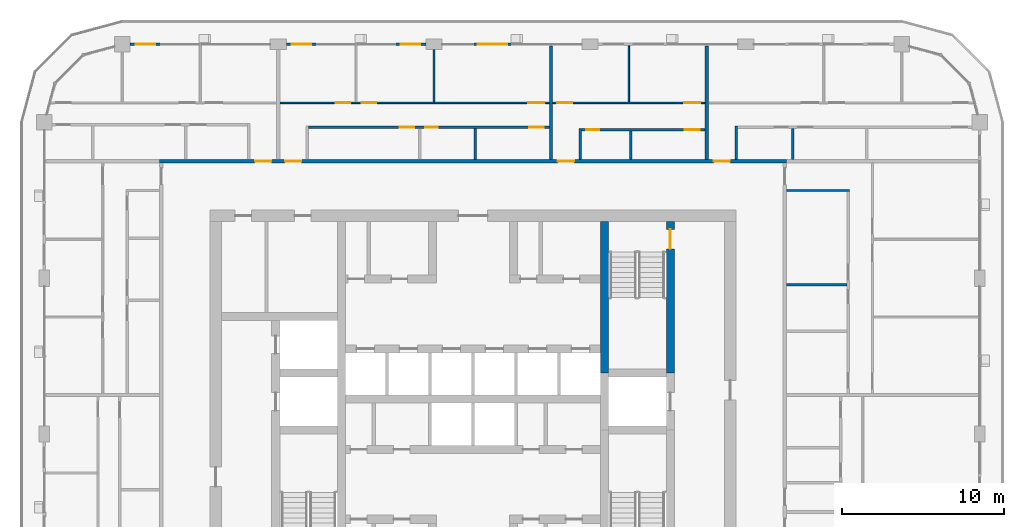
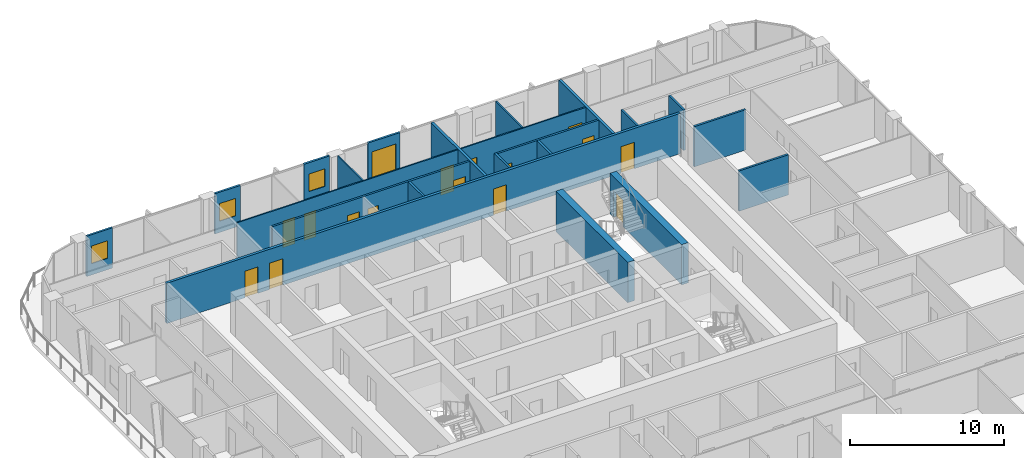
# One storey, part 14 of 22: 22 walls, 16 doors, 3 windows, 19 openings.
"""IFC4 building model written with IfcOpenShell, lengths in metres."""

from ifc_helpers import new_model, si_unit, direction, frame, frame_2d, origin, place, context, subcontext, project, spatial, rectangle, extrude, material, layer, layer_set, type_object, element, fill, save


model = new_model("IFC4")

# Units and contexts
model_context = context("Model", 3, precision=1e-05, world=origin(), true_north=direction((0.0, 1.0)))
body_context = subcontext(model_context, "Body", "Model", "MODEL_VIEW")
ifc_project = project(units=[si_unit("LENGTHUNIT", "METRE"), si_unit("AREAUNIT", "SQUARE_METRE"), si_unit("VOLUMEUNIT", "CUBIC_METRE"), si_unit("PLANEANGLEUNIT", "RADIAN"), si_unit("MASSUNIT", "GRAM", prefix="KILO")], contexts=[model_context])

# Site, building, storey
site_placement = place(None, origin())
site = spatial("IfcSite", under=ifc_project, at=site_placement, CompositionType="ELEMENT")
building_placement = place(site_placement, origin())
building = spatial("IfcBuilding", under=site, at=building_placement, Name="Madar Terraces", CompositionType="ELEMENT")
storey_placement = place(building_placement, frame((0.0, 0.0, 189.39990234375)))
storey = spatial("IfcBuildingStorey", under=building, at=storey_placement, Name="L49", CompositionType="ELEMENT", Elevation=189.39990234375)

# Wall
ifc_material_1 = material(Name="Concrete C60/75", Category="concrete")
ifc_layer_1 = layer(ifc_material_1, 0.5)
ifc_layer_set_1 = layer_set([ifc_layer_1], Name="Concrete C60/75 (CIW4 RC wall 500)")
wall_type_1 = type_object("IfcWallType", Name="CIW4 RC wall 500", PredefinedType="SHEAR", material=ifc_layer_set_1)
wall_1_placement = place(storey_placement, frame((39.300048828125, 27.75, 0.0), z_axis=(0.0, 0.0, 1.0), x_axis=(0.0, 1.0, 0.0)))
element("IfcWall", 1, at=wall_1_placement, inside=storey, type_object=wall_type_1, Name="CORE SHAFT WALL", PredefinedType="SHEAR", context=body_context, shape_type="SweptSolid", body=[
    extrude(rectangle(XDim=9.35009765625, YDim=0.5, at=frame_2d((4.675048828125, 0.0))), origin(), (0.0, 0.0, 1.0), 3.2001953125),
])

# Wall, opening, door
wall_2_placement = place(storey_placement, frame((43.35009765625, 27.75, 0.0), z_axis=(0.0, 0.0, 1.0), x_axis=(0.0, 1.0, 0.0)))
wall_2 = element("IfcWall", 2, at=wall_2_placement, inside=storey, type_object=wall_type_1, Name="CORE SHAFT WALL", PredefinedType="SHEAR", context=body_context, shape_type="SweptSolid", body=[
    extrude(rectangle(XDim=9.35009765625, YDim=0.5, at=frame_2d((4.675048828125, 0.0))), origin(), (0.0, 0.0, 1.0), 3.2001953125),
])
opening_1_placement = place(wall_2_placement, frame((7.64990234375, 0.0, 0.0)))
opening_1 = element("IfcOpeningElement", 3, at=opening_1_placement, cuts=wall_2, Name="Opening SD1", PredefinedType="OPENING", context=body_context, shape_type="SweptSolid", body=[
    extrude(rectangle(XDim=1.199951171875, YDim=2.10009765625, at=frame_2d((0.60009765625, 1.050048828125))), frame((0.0, 0.260009765625, 0.0), z_axis=(0.0, -1.0, 0.0), x_axis=(1.0, 0.0, 0.0)), (0.0, 0.0, 1.0), 0.52001953125),
])
ifc_material_2 = material(Name="Steel door leaf", Category="steel")
door_type_1 = type_object("IfcDoorType", Name="Stair door 1200 x 2100", OperationType="NOTDEFINED", PredefinedType="DOOR", material=ifc_material_2)
door_1_placement = place(opening_1_placement, origin())
door_1 = element("IfcDoor", 4, at=door_1_placement, inside=storey, type_object=door_type_1, Name="STAIR DOOR", OperationType="SINGLE_SWING_LEFT", OverallHeight=2.10009765625, OverallWidth=1.199951171875, PredefinedType="DOOR", context=body_context, shape_type="SweptSolid", body=[
    extrude(rectangle(XDim=1.199951171875, YDim=2.10009765625, at=frame_2d((0.60009765625, 1.050048828125))), frame((0.0, 0.02490234375, 0.0), z_axis=(0.0, -1.0, 0.0), x_axis=(1.0, 0.0, 0.0)), (0.0, 0.0, 1.0), 0.050048828125),
])
fill(opening_1, door_1)

ifc_material_3 = material(Name="Aluminium composite panel, black, over insulated backing", Category="aluminium")
ifc_layer_2 = layer(ifc_material_3, 0.14990234375)
ifc_layer_set_2 = layer_set([ifc_layer_2], Name="Facade bay panel 150")
wall_type_2 = type_object("IfcWallType", Name="Facade bay panel 150", PredefinedType="SOLIDWALL", material=ifc_layer_set_2)
wall_3_placement = place(storey_placement, frame((33.60009765625, 48.0, 0.0), z_axis=(0.0, 0.0, 1.0), x_axis=(-1.0, 0.0, 0.0)))
wall_3 = element("IfcWall", 5, at=wall_3_placement, inside=storey, type_object=wall_type_2, Name="Facade bay panel", PredefinedType="SOLIDWALL", context=body_context, shape_type="SweptSolid", body=[
    extrude(rectangle(XDim=2.400146484375, YDim=0.14990234375, at=frame_2d((1.2001953125, 0.0))), origin(), (0.0, 0.0, 1.0), 3.2001953125),
])
opening_2_placement = place(wall_3_placement, frame((0.300048828125, 0.0, 0.0)))
opening_2 = element("IfcOpeningElement", 6, at=opening_2_placement, cuts=wall_3, Name="Opening ED1", PredefinedType="OPENING", context=body_context, shape_type="SweptSolid", body=[
    extrude(rectangle(XDim=1.800048828125, YDim=2.39990234375, at=frame_2d((0.89990234375, 1.199951171875))), frame((0.0, 0.0849609375, 0.0), z_axis=(0.0, -1.0, 0.0), x_axis=(1.0, 0.0, 0.0)), (0.0, 0.0, 1.0), 0.169921875),
])
ifc_material_4 = material(Name="Glass, clear, with black aluminium frame", Category="aluminium")
door_type_2 = type_object("IfcDoorType", Name="Balcony and terrace sliding door 1800 x 2400", OperationType="SLIDING_TO_LEFT", PredefinedType="DOOR", material=ifc_material_4)
door_2_placement = place(opening_2_placement, origin())
door_2 = element("IfcDoor", 7, at=door_2_placement, inside=storey, type_object=door_type_2, Name="Balcony door", OperationType="SLIDING_TO_LEFT", OverallHeight=2.39990234375, OverallWidth=1.800048828125, PredefinedType="DOOR", context=body_context, shape_type="SweptSolid", body=[
    extrude(rectangle(XDim=1.800048828125, YDim=2.39990234375, at=frame_2d((0.89990234375, 1.199951171875))), frame((0.0, 0.02490234375, 0.0), z_axis=(0.0, -1.0, 0.0), x_axis=(1.0, 0.0, 0.0)), (0.0, 0.0, 1.0), 0.050048828125),
])
fill(opening_2, door_2)

# Wall, opening, window
wall_4_placement = place(storey_placement, frame((28.300048828125, 48.0, 0.0), z_axis=(0.0, 0.0, 1.0), x_axis=(-1.0, 0.0, 0.0)))
wall_4 = element("IfcWall", 8, at=wall_4_placement, inside=storey, type_object=wall_type_2, Name="Facade bay panel", PredefinedType="SOLIDWALL", context=body_context, shape_type="SweptSolid", body=[
    extrude(rectangle(XDim=1.900146484375, YDim=0.14990234375, at=frame_2d((0.9501953125, 0.0))), origin(), (0.0, 0.0, 1.0), 3.2001953125),
])
opening_3_placement = place(wall_4_placement, frame((0.35009765625, 0.0, 0.89990234375)))
opening_3 = element("IfcOpeningElement", 9, at=opening_3_placement, cuts=wall_4, Name="Opening W1", PredefinedType="OPENING", context=body_context, shape_type="SweptSolid", body=[
    extrude(rectangle(XDim=1.199951171875, YDim=1.39990234375, at=frame_2d((0.60009765625, 0.699951171875))), frame((0.0, 0.0849609375, 0.0), z_axis=(0.0, -1.0, 0.0), x_axis=(1.0, 0.0, 0.0)), (0.0, 0.0, 1.0), 0.169921875),
])
ifc_material_5 = material(Name="Glass, clear, with black aluminium frame", Category="aluminium")
window_type = type_object("IfcWindowType", Name="Vent window 1200 x 1400", PartitioningType="SINGLE_PANEL", PredefinedType="WINDOW", material=ifc_material_5)
window_1_placement = place(opening_3_placement, origin())
window_1 = element("IfcWindow", 10, at=window_1_placement, inside=storey, type_object=window_type, Name="Operable vent window", OverallHeight=1.39990234375, OverallWidth=1.199951171875, PartitioningType="SINGLE_PANEL", PredefinedType="WINDOW", context=body_context, shape_type="SweptSolid", body=[
    extrude(rectangle(XDim=1.199951171875, YDim=1.39990234375, at=frame_2d((0.60009765625, 0.699951171875))), frame((0.0, 0.030029296875, 0.0), z_axis=(0.0, -1.0, 0.0), x_axis=(1.0, 0.0, 0.0)), (0.0, 0.0, 1.0), 0.06005859375),
])
fill(opening_3, window_1)

wall_5_placement = place(storey_placement, frame((21.60009765625, 48.0, 0.0), z_axis=(0.0, 0.0, 1.0), x_axis=(-1.0, 0.0, 0.0)))
wall_5 = element("IfcWall", 11, at=wall_5_placement, inside=storey, type_object=wall_type_2, Name="Facade bay panel", PredefinedType="SOLIDWALL", context=body_context, shape_type="SweptSolid", body=[
    extrude(rectangle(XDim=1.900146484375, YDim=0.14990234375, at=frame_2d((0.9501953125, 0.0))), origin(), (0.0, 0.0, 1.0), 3.2001953125),
])
opening_4_placement = place(wall_5_placement, frame((0.35009765625, 0.0, 0.89990234375)))
opening_4 = element("IfcOpeningElement", 12, at=opening_4_placement, cuts=wall_5, Name="Opening W1", PredefinedType="OPENING", context=body_context, shape_type="SweptSolid", body=[
    extrude(rectangle(XDim=1.199951171875, YDim=1.39990234375, at=frame_2d((0.60009765625, 0.699951171875))), frame((0.0, 0.0849609375, 0.0), z_axis=(0.0, -1.0, 0.0), x_axis=(1.0, 0.0, 0.0)), (0.0, 0.0, 1.0), 0.169921875),
])
window_2_placement = place(opening_4_placement, origin())
window_2 = element("IfcWindow", 13, at=window_2_placement, inside=storey, type_object=window_type, Name="Operable vent window", OverallHeight=1.39990234375, OverallWidth=1.199951171875, PartitioningType="SINGLE_PANEL", PredefinedType="WINDOW", context=body_context, shape_type="SweptSolid", body=[
    extrude(rectangle(XDim=1.199951171875, YDim=1.39990234375, at=frame_2d((0.60009765625, 0.699951171875))), frame((0.0, 0.030029296875, 0.0), z_axis=(0.0, -1.0, 0.0), x_axis=(1.0, 0.0, 0.0)), (0.0, 0.0, 1.0), 0.06005859375),
])
fill(opening_4, window_2)

wall_6_placement = place(storey_placement, frame((12.0, 48.0, 0.0), z_axis=(0.0, 0.0, 1.0), x_axis=(-1.0, 0.0, 0.0)))
wall_6 = element("IfcWall", 14, at=wall_6_placement, inside=storey, type_object=wall_type_2, Name="Facade bay panel", PredefinedType="SOLIDWALL", context=body_context, shape_type="SweptSolid", body=[
    extrude(rectangle(XDim=1.925048828125, YDim=0.14990234375, at=frame_2d((0.96240234375, 0.0))), origin(), (0.0, 0.0, 1.0), 3.2001953125),
])
opening_5_placement = place(wall_6_placement, frame((0.362548828125, 0.0, 0.89990234375)))
opening_5 = element("IfcOpeningElement", 15, at=opening_5_placement, cuts=wall_6, Name="Opening W1", PredefinedType="OPENING", context=body_context, shape_type="SweptSolid", body=[
    extrude(rectangle(XDim=1.199951171875, YDim=1.39990234375, at=frame_2d((0.60009765625, 0.699951171875))), frame((0.0, 0.0849609375, 0.0), z_axis=(0.0, -1.0, 0.0), x_axis=(1.0, 0.0, 0.0)), (0.0, 0.0, 1.0), 0.169921875),
])
window_3_placement = place(opening_5_placement, origin())
window_3 = element("IfcWindow", 16, at=window_3_placement, inside=storey, type_object=window_type, Name="Operable vent window", OverallHeight=1.39990234375, OverallWidth=1.199951171875, PartitioningType="SINGLE_PANEL", PredefinedType="WINDOW", context=body_context, shape_type="SweptSolid", body=[
    extrude(rectangle(XDim=1.199951171875, YDim=1.39990234375, at=frame_2d((0.60009765625, 0.699951171875))), frame((0.0, 0.030029296875, 0.0), z_axis=(0.0, -1.0, 0.0), x_axis=(1.0, 0.0, 0.0)), (0.0, 0.0, 1.0), 0.06005859375),
])
fill(opening_5, window_3)

# Wall
ifc_material_6 = material(Name="Gypsum board on steel studs", Category="steel")
ifc_layer_3 = layer(ifc_material_6, 0.10009765625)
ifc_layer_set_3 = layer_set([ifc_layer_3], Name="Flat partition 100")
wall_type_3 = type_object("IfcWallType", Name="Flat partition 100", PredefinedType="PARTITIONING", material=ifc_layer_set_3)
wall_7_placement = place(storey_placement, frame((40.800048828125, 44.449951171875, 0.0), z_axis=(0.0, 0.0, 1.0), x_axis=(0.0, 1.0, 0.0)))
element("IfcWall", 17, at=wall_7_placement, inside=storey, type_object=wall_type_3, Name="Flat partition 100", PredefinedType="PARTITIONING", context=body_context, shape_type="SweptSolid", body=[
    extrude(rectangle(XDim=3.449951171875, YDim=0.10009765625, at=frame_2d((1.72509765625, 0.0))), origin(), (0.0, 0.0, 1.0), 3.2001953125),
])

# Wall, openings, doors
wall_8_placement = place(storey_placement, frame((36.10009765625, 44.39990234375, 0.0), z_axis=(0.0, 0.0, 1.0), x_axis=(1.0, 0.0, 0.0)))
wall_8 = element("IfcWall", 18, at=wall_8_placement, inside=storey, type_object=wall_type_3, Name="Flat partition 100", PredefinedType="PARTITIONING", context=body_context, shape_type="SweptSolid", body=[
    extrude(rectangle(XDim=9.39990234375, YDim=0.10009765625, at=frame_2d((4.699951171875, 0.0))), origin(), (0.0, 0.0, 1.0), 3.2001953125),
])
opening_6_placement = place(wall_8_placement, frame((0.300048828125, 0.0, 0.0)))
opening_6 = element("IfcOpeningElement", 19, at=opening_6_placement, cuts=wall_8, Name="Opening D2", PredefinedType="OPENING", context=body_context, shape_type="SweptSolid", body=[
    extrude(rectangle(XDim=0.89990234375, YDim=2.10009765625, at=frame_2d((0.449951171875, 1.050048828125))), frame((0.0, 0.06005859375, 0.0), z_axis=(0.0, -1.0, 0.0), x_axis=(1.0, 0.0, 0.0)), (0.0, 0.0, 1.0), 0.1201171875),
])
opening_7_placement = place(wall_8_placement, frame((8.10009765625, 0.0, 0.0)))
opening_7 = element("IfcOpeningElement", 20, at=opening_7_placement, cuts=wall_8, Name="Opening D3", PredefinedType="OPENING", context=body_context, shape_type="SweptSolid", body=[
    extrude(rectangle(XDim=1.0, YDim=2.10009765625, at=frame_2d((0.5, 1.050048828125))), frame((0.0, 0.06005859375, 0.0), z_axis=(0.0, -1.0, 0.0), x_axis=(1.0, 0.0, 0.0)), (0.0, 0.0, 1.0), 0.1201171875),
])
ifc_material_7 = material(Name="Timber door leaf", Category="wood")
door_type_3 = type_object("IfcDoorType", Name="Flat living room door 1000", OperationType="NOTDEFINED", PredefinedType="DOOR", material=ifc_material_7)
door_3_placement = place(opening_7_placement, origin())
door_3 = element("IfcDoor", 21, at=door_3_placement, inside=storey, type_object=door_type_3, Name="Flat living room door 1000", OperationType="SINGLE_SWING_RIGHT", OverallHeight=2.10009765625, OverallWidth=1.0, PredefinedType="DOOR", context=body_context, shape_type="SweptSolid", body=[
    extrude(rectangle(XDim=1.0, YDim=2.10009765625, at=frame_2d((0.5, 1.050048828125))), frame((0.0, 0.02490234375, 0.0), z_axis=(0.0, -1.0, 0.0), x_axis=(1.0, 0.0, 0.0)), (0.0, 0.0, 1.0), 0.050048828125),
])
fill(opening_7, door_3)
ifc_material_8 = material(Name="Timber door leaf", Category="wood")
door_type_4 = type_object("IfcDoorType", Name="Flat room door 900", OperationType="NOTDEFINED", PredefinedType="DOOR", material=ifc_material_8)
door_4_placement = place(opening_6_placement, origin())
door_4 = element("IfcDoor", 22, at=door_4_placement, inside=storey, type_object=door_type_4, Name="Flat room door 900", OperationType="SINGLE_SWING_LEFT", OverallHeight=2.10009765625, OverallWidth=0.89990234375, PredefinedType="DOOR", context=body_context, shape_type="SweptSolid", body=[
    extrude(rectangle(XDim=0.89990234375, YDim=2.10009765625, at=frame_2d((0.449951171875, 1.050048828125))), frame((0.0, 0.02490234375, 0.0), z_axis=(0.0, -1.0, 0.0), x_axis=(1.0, 0.0, 0.0)), (0.0, 0.0, 1.0), 0.050048828125),
])
fill(opening_6, door_4)

# Wall
wall_9_placement = place(storey_placement, frame((28.800048828125, 44.449951171875, 0.0), z_axis=(0.0, 0.0, 1.0), x_axis=(0.0, 1.0, 0.0)))
element("IfcWall", 23, at=wall_9_placement, inside=storey, type_object=wall_type_3, Name="Flat partition 100", PredefinedType="PARTITIONING", context=body_context, shape_type="SweptSolid", body=[
    extrude(rectangle(XDim=3.22509765625, YDim=0.10009765625, at=frame_2d((1.612548828125, 0.0))), origin(), (0.0, 0.0, 1.0), 3.2001953125),
])

# Wall, openings, doors
wall_10_placement = place(storey_placement, frame((19.300048828125, 44.39990234375, 0.0), z_axis=(0.0, 0.0, 1.0), x_axis=(1.0, 0.0, 0.0)))
wall_10 = element("IfcWall", 24, at=wall_10_placement, inside=storey, type_object=wall_type_3, Name="Flat partition 100", PredefinedType="PARTITIONING", context=body_context, shape_type="SweptSolid", body=[
    extrude(rectangle(XDim=16.599853515625, YDim=0.10009765625, at=frame_2d((8.2998046875, 0.0))), origin(), (0.0, 0.0, 1.0), 3.2001953125),
])
opening_8_placement = place(wall_10_placement, frame((3.449951171875, 0.0, 0.0)))
opening_8 = element("IfcOpeningElement", 25, at=opening_8_placement, cuts=wall_10, Name="Opening D2", PredefinedType="OPENING", context=body_context, shape_type="SweptSolid", body=[
    extrude(rectangle(XDim=0.89990234375, YDim=2.10009765625, at=frame_2d((0.449951171875, 1.050048828125))), frame((0.0, 0.06005859375, 0.0), z_axis=(0.0, -1.0, 0.0), x_axis=(1.0, 0.0, 0.0)), (0.0, 0.0, 1.0), 0.1201171875),
])
opening_9_placement = place(wall_10_placement, frame((5.050048828125, 0.0, 0.0)))
opening_9 = element("IfcOpeningElement", 26, at=opening_9_placement, cuts=wall_10, Name="Opening D2", PredefinedType="OPENING", context=body_context, shape_type="SweptSolid", body=[
    extrude(rectangle(XDim=0.89990234375, YDim=2.10009765625, at=frame_2d((0.449951171875, 1.050048828125))), frame((0.0, 0.06005859375, 0.0), z_axis=(0.0, -1.0, 0.0), x_axis=(1.0, 0.0, 0.0)), (0.0, 0.0, 1.0), 0.1201171875),
])
opening_10_placement = place(wall_10_placement, frame((15.300048828125, 0.0, 0.0)))
opening_10 = element("IfcOpeningElement", 27, at=opening_10_placement, cuts=wall_10, Name="Opening D3", PredefinedType="OPENING", context=body_context, shape_type="SweptSolid", body=[
    extrude(rectangle(XDim=1.0, YDim=2.10009765625, at=frame_2d((0.5, 1.050048828125))), frame((0.0, 0.06005859375, 0.0), z_axis=(0.0, -1.0, 0.0), x_axis=(1.0, 0.0, 0.0)), (0.0, 0.0, 1.0), 0.1201171875),
])
door_5_placement = place(opening_10_placement, origin())
door_5 = element("IfcDoor", 28, at=door_5_placement, inside=storey, type_object=door_type_3, Name="Flat living room door 1000", OperationType="SINGLE_SWING_RIGHT", OverallHeight=2.10009765625, OverallWidth=1.0, PredefinedType="DOOR", context=body_context, shape_type="SweptSolid", body=[
    extrude(rectangle(XDim=1.0, YDim=2.10009765625, at=frame_2d((0.5, 1.050048828125))), frame((0.0, 0.02490234375, 0.0), z_axis=(0.0, -1.0, 0.0), x_axis=(1.0, 0.0, 0.0)), (0.0, 0.0, 1.0), 0.050048828125),
])
fill(opening_10, door_5)
door_6_placement = place(opening_8_placement, origin())
door_6 = element("IfcDoor", 29, at=door_6_placement, inside=storey, type_object=door_type_4, Name="Flat room door 900", OperationType="SINGLE_SWING_RIGHT", OverallHeight=2.10009765625, OverallWidth=0.89990234375, PredefinedType="DOOR", context=body_context, shape_type="SweptSolid", body=[
    extrude(rectangle(XDim=0.89990234375, YDim=2.10009765625, at=frame_2d((0.449951171875, 1.050048828125))), frame((0.0, 0.02490234375, 0.0), z_axis=(0.0, -1.0, 0.0), x_axis=(1.0, 0.0, 0.0)), (0.0, 0.0, 1.0), 0.050048828125),
])
fill(opening_8, door_6)
door_7_placement = place(opening_9_placement, origin())
door_7 = element("IfcDoor", 30, at=door_7_placement, inside=storey, type_object=door_type_4, Name="Flat room door 900", OperationType="SINGLE_SWING_LEFT", OverallHeight=2.10009765625, OverallWidth=0.89990234375, PredefinedType="DOOR", context=body_context, shape_type="SweptSolid", body=[
    extrude(rectangle(XDim=0.89990234375, YDim=2.10009765625, at=frame_2d((0.449951171875, 1.050048828125))), frame((0.0, 0.02490234375, 0.0), z_axis=(0.0, -1.0, 0.0), x_axis=(1.0, 0.0, 0.0)), (0.0, 0.0, 1.0), 0.050048828125),
])
fill(opening_9, door_7)

ifc_material_9 = material(Name="Lightweight blockwork", Category="masonry")
ifc_layer_4 = layer(ifc_material_9, 0.199951171875)
ifc_layer_set_4 = layer_set([ifc_layer_4], Name="Flat party and entrance wall 200")
wall_type_4 = type_object("IfcWallType", Name="Flat party and entrance wall 200", PredefinedType="PARTITIONING", material=ifc_layer_set_4)
wall_11_placement = place(storey_placement, frame((11.89990234375, 40.800048828125, 0.0), z_axis=(0.0, 0.0, 1.0), x_axis=(1.0, 0.0, 0.0)))
wall_11 = element("IfcWall", 31, at=wall_11_placement, inside=storey, type_object=wall_type_4, Name="Flat party and entrance wall 200", PredefinedType="PARTITIONING", context=body_context, shape_type="SweptSolid", body=[
    extrude(rectangle(XDim=38.60009765625, YDim=0.199951171875, at=frame_2d((19.300048828125, 0.0))), origin(), (0.0, 0.0, 1.0), 3.2001953125),
])
opening_11_placement = place(wall_11_placement, frame((34.125, 0.0, 0.0)))
opening_11 = element("IfcOpeningElement", 32, at=opening_11_placement, cuts=wall_11, Name="Opening D1", PredefinedType="OPENING", context=body_context, shape_type="SweptSolid", body=[
    extrude(rectangle(XDim=1.0, YDim=2.10009765625, at=frame_2d((0.5, 1.050048828125))), frame((0.0, 0.10986328125, 0.0), z_axis=(0.0, -1.0, 0.0), x_axis=(1.0, 0.0, 0.0)), (0.0, 0.0, 1.0), 0.219970703125),
])
opening_12_placement = place(wall_11_placement, frame((24.52490234375, 0.0, 0.0)))
opening_12 = element("IfcOpeningElement", 33, at=opening_12_placement, cuts=wall_11, Name="Opening D1", PredefinedType="OPENING", context=body_context, shape_type="SweptSolid", body=[
    extrude(rectangle(XDim=1.0, YDim=2.10009765625, at=frame_2d((0.5, 1.050048828125))), frame((0.0, 0.10986328125, 0.0), z_axis=(0.0, -1.0, 0.0), x_axis=(1.0, 0.0, 0.0)), (0.0, 0.0, 1.0), 0.219970703125),
])
opening_13_placement = place(wall_11_placement, frame((7.72509765625, 0.0, 0.0)))
opening_13 = element("IfcOpeningElement", 34, at=opening_13_placement, cuts=wall_11, Name="Opening D1", PredefinedType="OPENING", context=body_context, shape_type="SweptSolid", body=[
    extrude(rectangle(XDim=1.0, YDim=2.10009765625, at=frame_2d((0.5, 1.050048828125))), frame((0.0, 0.10986328125, 0.0), z_axis=(0.0, -1.0, 0.0), x_axis=(1.0, 0.0, 0.0)), (0.0, 0.0, 1.0), 0.219970703125),
])
opening_14_placement = place(wall_11_placement, frame((5.875, 0.0, 0.0)))
opening_14 = element("IfcOpeningElement", 35, at=opening_14_placement, cuts=wall_11, Name="Opening D1", PredefinedType="OPENING", context=body_context, shape_type="SweptSolid", body=[
    extrude(rectangle(XDim=1.0, YDim=2.10009765625, at=frame_2d((0.5, 1.050048828125))), frame((0.0, 0.10986328125, 0.0), z_axis=(0.0, -1.0, 0.0), x_axis=(1.0, 0.0, 0.0)), (0.0, 0.0, 1.0), 0.219970703125),
])
ifc_material_10 = material(Name="Timber fire door leaf", Category="wood")
door_type_5 = type_object("IfcDoorType", Name="Flat entrance door 1000 FD30S", OperationType="NOTDEFINED", PredefinedType="DOOR", material=ifc_material_10)
door_8_placement = place(opening_11_placement, origin())
door_8 = element("IfcDoor", 36, at=door_8_placement, inside=storey, type_object=door_type_5, Name="Flat entrance door 1000 FD30S", OperationType="SINGLE_SWING_LEFT", OverallHeight=2.10009765625, OverallWidth=1.0, PredefinedType="DOOR", context=body_context, shape_type="SweptSolid", body=[
    extrude(rectangle(XDim=1.0, YDim=2.10009765625, at=frame_2d((0.5, 1.050048828125))), frame((0.0, 0.02490234375, 0.0), z_axis=(0.0, -1.0, 0.0), x_axis=(1.0, 0.0, 0.0)), (0.0, 0.0, 1.0), 0.050048828125),
])
fill(opening_11, door_8)
door_9_placement = place(opening_12_placement, origin())
door_9 = element("IfcDoor", 37, at=door_9_placement, inside=storey, type_object=door_type_5, Name="Flat entrance door 1000 FD30S", OperationType="SINGLE_SWING_LEFT", OverallHeight=2.10009765625, OverallWidth=1.0, PredefinedType="DOOR", context=body_context, shape_type="SweptSolid", body=[
    extrude(rectangle(XDim=1.0, YDim=2.10009765625, at=frame_2d((0.5, 1.050048828125))), frame((0.0, 0.02490234375, 0.0), z_axis=(0.0, -1.0, 0.0), x_axis=(1.0, 0.0, 0.0)), (0.0, 0.0, 1.0), 0.050048828125),
])
fill(opening_12, door_9)
door_10_placement = place(opening_13_placement, origin())
door_10 = element("IfcDoor", 38, at=door_10_placement, inside=storey, type_object=door_type_5, Name="Flat entrance door 1000 FD30S", OperationType="SINGLE_SWING_LEFT", OverallHeight=2.10009765625, OverallWidth=1.0, PredefinedType="DOOR", context=body_context, shape_type="SweptSolid", body=[
    extrude(rectangle(XDim=1.0, YDim=2.10009765625, at=frame_2d((0.5, 1.050048828125))), frame((0.0, 0.02490234375, 0.0), z_axis=(0.0, -1.0, 0.0), x_axis=(1.0, 0.0, 0.0)), (0.0, 0.0, 1.0), 0.050048828125),
])
fill(opening_13, door_10)
door_11_placement = place(opening_14_placement, origin())
door_11 = element("IfcDoor", 39, at=door_11_placement, inside=storey, type_object=door_type_5, Name="Flat entrance door 1000 FD30S", OperationType="SINGLE_SWING_RIGHT", OverallHeight=2.10009765625, OverallWidth=1.0, PredefinedType="DOOR", context=body_context, shape_type="SweptSolid", body=[
    extrude(rectangle(XDim=1.0, YDim=2.10009765625, at=frame_2d((0.5, 1.050048828125))), frame((0.0, 0.02490234375, 0.0), z_axis=(0.0, -1.0, 0.0), x_axis=(1.0, 0.0, 0.0)), (0.0, 0.0, 1.0), 0.050048828125),
])
fill(opening_14, door_11)

# Walls
for number, where, z_axis, x_axis, name in (
    (40, (45.60009765625, 47.89990234375, 0.0), (0.0, 0.0, 1.0), (0.0, -1.0, 0.0), "Flat party and entrance wall 200"),
    (41, (36.0, 47.89990234375, 0.0), (0.0, 0.0, 1.0), (0.0, -1.0, 0.0), "Flat party and entrance wall 200"),
):
    element("IfcWall", number, at=place(storey_placement, frame(where, z_axis=z_axis, x_axis=x_axis)), inside=storey, type_object=wall_type_4, Name=name, PredefinedType="PARTITIONING", context=body_context, shape_type="SweptSolid", body=[
        extrude(rectangle(XDim=7.0, YDim=0.199951171875, at=frame_2d((3.5, 0.0))), origin(), (0.0, 0.0, 1.0), 3.2001953125),
    ])
ifc_material_11 = material(Name="Lightweight blockwork", Category="masonry")
ifc_layer_5 = layer(ifc_material_11, 0.14990234375)
ifc_layer_set_5 = layer_set([ifc_layer_5], Name="Flat wet-room partition 150")
wall_type_5 = type_object("IfcWallType", Name="Flat wet-room partition 150", PredefinedType="PARTITIONING", material=ifc_layer_set_5)
wall_12_placement = place(storey_placement, frame((50.5, 33.1904296875, 0.0), z_axis=(0.0, 0.0, 1.0), x_axis=(1.0, 0.0, 0.0)))
element("IfcWall", 42, at=wall_12_placement, inside=storey, type_object=wall_type_5, Name="Flat wet-room partition 150", PredefinedType="PARTITIONING", context=body_context, shape_type="SweptSolid", body=[
    extrude(rectangle(XDim=3.72509765625, YDim=0.14990234375, at=frame_2d((1.862548828125, 0.0))), origin(), (0.0, 0.0, 1.0), 3.2001953125),
])
wall_13_placement = place(storey_placement, frame((50.5, 39.0, 0.0), z_axis=(0.0, 0.0, 1.0), x_axis=(1.0, 0.0, 0.0)))
element("IfcWall", 43, at=wall_13_placement, inside=storey, type_object=wall_type_5, Name="Flat wet-room partition 150", PredefinedType="PARTITIONING", context=body_context, shape_type="SweptSolid", body=[
    extrude(rectangle(XDim=3.875, YDim=0.14990234375, at=frame_2d((1.9375, 0.0))), origin(), (0.0, 0.0, 1.0), 3.2001953125),
])
wall_14_placement = place(storey_placement, frame((50.896240234375, 40.89990234375, 0.0), z_axis=(0.0, 0.0, 1.0), x_axis=(0.0, 1.0, 0.0)))
element("IfcWall", 44, at=wall_14_placement, inside=storey, type_object=wall_type_5, Name="Flat wet-room partition 150", PredefinedType="PARTITIONING", context=body_context, shape_type="SweptSolid", body=[
    extrude(rectangle(XDim=1.925048828125, YDim=0.14990234375, at=frame_2d((0.96240234375, 0.0))), origin(), (0.0, 0.0, 1.0), 3.2001953125),
])
wall_15_placement = place(storey_placement, frame((47.39990234375, 40.89990234375, 0.0), z_axis=(0.0, 0.0, 1.0), x_axis=(0.0, 1.0, 0.0)))
element("IfcWall", 45, at=wall_15_placement, inside=storey, type_object=wall_type_5, Name="Flat wet-room partition 150", PredefinedType="PARTITIONING", context=body_context, shape_type="SweptSolid", body=[
    extrude(rectangle(XDim=2.0751953125, YDim=0.14990234375, at=frame_2d((1.03759765625, 0.0))), origin(), (0.0, 0.0, 1.0), 3.2001953125),
])
wall_16_placement = place(storey_placement, frame((40.925048828125, 40.89990234375, 0.0), z_axis=(0.0, 0.0, 1.0), x_axis=(0.0, 1.0, 0.0)))
element("IfcWall", 46, at=wall_16_placement, inside=storey, type_object=wall_type_5, Name="Flat wet-room partition 150", PredefinedType="PARTITIONING", context=body_context, shape_type="SweptSolid", body=[
    extrude(rectangle(XDim=1.775146484375, YDim=0.14990234375, at=frame_2d((0.8876953125, 0.0))), origin(), (0.0, 0.0, 1.0), 3.2001953125),
])
wall_17_placement = place(storey_placement, frame((37.800048828125, 40.89990234375, 0.0), z_axis=(0.0, 0.0, 1.0), x_axis=(0.0, 1.0, 0.0)))
element("IfcWall", 47, at=wall_17_placement, inside=storey, type_object=wall_type_5, Name="Flat wet-room partition 150", PredefinedType="PARTITIONING", context=body_context, shape_type="SweptSolid", body=[
    extrude(rectangle(XDim=1.925048828125, YDim=0.14990234375, at=frame_2d((0.96240234375, 0.0))), origin(), (0.0, 0.0, 1.0), 3.2001953125),
])

# Wall, openings, doors
wall_18_placement = place(storey_placement, frame((45.5, 42.75, 0.0), z_axis=(0.0, 0.0, 1.0), x_axis=(-1.0, 0.0, 0.0)))
wall_18 = element("IfcWall", 48, at=wall_18_placement, inside=storey, type_object=wall_type_5, Name="Flat wet-room partition 150", PredefinedType="PARTITIONING", context=body_context, shape_type="SweptSolid", body=[
    extrude(rectangle(XDim=7.625, YDim=0.14990234375, at=frame_2d((3.8125, 0.0))), origin(), (0.0, 0.0, 1.0), 3.2001953125),
])
opening_15_placement = place(wall_18_placement, frame((6.52490234375, 0.0, 0.0)))
opening_15 = element("IfcOpeningElement", 49, at=opening_15_placement, cuts=wall_18, Name="Opening D4", PredefinedType="OPENING", context=body_context, shape_type="SweptSolid", body=[
    extrude(rectangle(XDim=0.800048828125, YDim=2.10009765625, at=frame_2d((0.39990234375, 1.050048828125))), frame((0.0, 0.0849609375, 0.0), z_axis=(0.0, -1.0, 0.0), x_axis=(1.0, 0.0, 0.0)), (0.0, 0.0, 1.0), 0.169921875),
])
opening_16_placement = place(wall_18_placement, frame((0.35009765625, 0.0, 0.0)))
opening_16 = element("IfcOpeningElement", 50, at=opening_16_placement, cuts=wall_18, Name="Opening D2", PredefinedType="OPENING", context=body_context, shape_type="SweptSolid", body=[
    extrude(rectangle(XDim=0.89990234375, YDim=2.10009765625, at=frame_2d((0.449951171875, 1.050048828125))), frame((0.0, 0.0849609375, 0.0), z_axis=(0.0, -1.0, 0.0), x_axis=(1.0, 0.0, 0.0)), (0.0, 0.0, 1.0), 0.169921875),
])
ifc_material_12 = material(Name="Timber door leaf", Category="wood")
door_type_6 = type_object("IfcDoorType", Name="Flat bathroom door 800", OperationType="NOTDEFINED", PredefinedType="DOOR", material=ifc_material_12)
door_12_placement = place(opening_15_placement, origin())
door_12 = element("IfcDoor", 51, at=door_12_placement, inside=storey, type_object=door_type_6, Name="Flat bathroom door 800", OperationType="SINGLE_SWING_RIGHT", OverallHeight=2.10009765625, OverallWidth=0.800048828125, PredefinedType="DOOR", context=body_context, shape_type="SweptSolid", body=[
    extrude(rectangle(XDim=0.800048828125, YDim=2.10009765625, at=frame_2d((0.39990234375, 1.050048828125))), frame((0.0, 0.02490234375, 0.0), z_axis=(0.0, -1.0, 0.0), x_axis=(1.0, 0.0, 0.0)), (0.0, 0.0, 1.0), 0.050048828125),
])
fill(opening_15, door_12)
door_13_placement = place(opening_16_placement, origin())
door_13 = element("IfcDoor", 52, at=door_13_placement, inside=storey, type_object=door_type_4, Name="Flat room door 900", OperationType="SINGLE_SWING_LEFT", OverallHeight=2.10009765625, OverallWidth=0.89990234375, PredefinedType="DOOR", context=body_context, shape_type="SweptSolid", body=[
    extrude(rectangle(XDim=0.89990234375, YDim=2.10009765625, at=frame_2d((0.449951171875, 1.050048828125))), frame((0.0, 0.02490234375, 0.0), z_axis=(0.0, -1.0, 0.0), x_axis=(1.0, 0.0, 0.0)), (0.0, 0.0, 1.0), 0.050048828125),
])
fill(opening_16, door_13)

# Wall
wall_19_placement = place(storey_placement, frame((31.33837890625, 40.89990234375, 0.0), z_axis=(0.0, 0.0, 1.0), x_axis=(0.0, 1.0, 0.0)))
element("IfcWall", 53, at=wall_19_placement, inside=storey, type_object=wall_type_5, Name="Flat wet-room partition 150", PredefinedType="PARTITIONING", context=body_context, shape_type="SweptSolid", body=[
    extrude(rectangle(XDim=1.925048828125, YDim=0.14990234375, at=frame_2d((0.96240234375, 0.0))), origin(), (0.0, 0.0, 1.0), 3.2001953125),
])

# Wall, openings, doors
wall_20_placement = place(storey_placement, frame((35.89990234375, 42.89990234375, 0.0), z_axis=(0.0, 0.0, 1.0), x_axis=(-1.0, 0.0, 0.0)))
wall_20 = element("IfcWall", 54, at=wall_20_placement, inside=storey, type_object=wall_type_5, Name="Flat wet-room partition 150", PredefinedType="PARTITIONING", context=body_context, shape_type="SweptSolid", body=[
    extrude(rectangle(XDim=14.824951171875, YDim=0.14990234375, at=frame_2d((7.41259765625, 0.0))), origin(), (0.0, 0.0, 1.0), 3.2001953125),
])
opening_17_placement = place(wall_20_placement, frame((8.3076171875, 0.0, 0.0)))
opening_17 = element("IfcOpeningElement", 55, at=opening_17_placement, cuts=wall_20, Name="Opening D2", PredefinedType="OPENING", context=body_context, shape_type="SweptSolid", body=[
    extrude(rectangle(XDim=0.89990234375, YDim=2.10009765625, at=frame_2d((0.449951171875, 1.050048828125))), frame((0.0, 0.0849609375, 0.0), z_axis=(0.0, -1.0, 0.0), x_axis=(1.0, 0.0, 0.0)), (0.0, 0.0, 1.0), 0.169921875),
])
opening_18_placement = place(wall_20_placement, frame((6.857666015625, 0.0, 0.0)))
opening_18 = element("IfcOpeningElement", 56, at=opening_18_placement, cuts=wall_20, Name="Opening D4", PredefinedType="OPENING", context=body_context, shape_type="SweptSolid", body=[
    extrude(rectangle(XDim=0.800048828125, YDim=2.10009765625, at=frame_2d((0.39990234375, 1.050048828125))), frame((0.0, 0.0849609375, 0.0), z_axis=(0.0, -1.0, 0.0), x_axis=(1.0, 0.0, 0.0)), (0.0, 0.0, 1.0), 0.169921875),
])
opening_19_placement = place(wall_20_placement, frame((0.35009765625, 0.0, 0.0)))
opening_19 = element("IfcOpeningElement", 57, at=opening_19_placement, cuts=wall_20, Name="Opening D5", PredefinedType="OPENING", context=body_context, shape_type="SweptSolid", body=[
    extrude(rectangle(XDim=0.89990234375, YDim=2.10009765625, at=frame_2d((0.449951171875, 1.050048828125))), frame((0.0, 0.0849609375, 0.0), z_axis=(0.0, -1.0, 0.0), x_axis=(1.0, 0.0, 0.0)), (0.0, 0.0, 1.0), 0.169921875),
])
ifc_material_13 = material(Name="Timber door leaf", Category="wood")
door_type_7 = type_object("IfcDoorType", Name="Flat accessible bathroom door 900", OperationType="NOTDEFINED", PredefinedType="DOOR", material=ifc_material_13)
door_14_placement = place(opening_19_placement, origin())
door_14 = element("IfcDoor", 58, at=door_14_placement, inside=storey, type_object=door_type_7, Name="Flat accessible bathroom door 900", OperationType="SINGLE_SWING_LEFT", OverallHeight=2.10009765625, OverallWidth=0.89990234375, PredefinedType="DOOR", context=body_context, shape_type="SweptSolid", body=[
    extrude(rectangle(XDim=0.89990234375, YDim=2.10009765625, at=frame_2d((0.449951171875, 1.050048828125))), frame((0.0, 0.02490234375, 0.0), z_axis=(0.0, -1.0, 0.0), x_axis=(1.0, 0.0, 0.0)), (0.0, 0.0, 1.0), 0.050048828125),
])
fill(opening_19, door_14)
door_15_placement = place(opening_18_placement, origin())
door_15 = element("IfcDoor", 59, at=door_15_placement, inside=storey, type_object=door_type_6, Name="Flat bathroom door 800", OperationType="SINGLE_SWING_RIGHT", OverallHeight=2.10009765625, OverallWidth=0.800048828125, PredefinedType="DOOR", context=body_context, shape_type="SweptSolid", body=[
    extrude(rectangle(XDim=0.800048828125, YDim=2.10009765625, at=frame_2d((0.39990234375, 1.050048828125))), frame((0.0, 0.02490234375, 0.0), z_axis=(0.0, -1.0, 0.0), x_axis=(1.0, 0.0, 0.0)), (0.0, 0.0, 1.0), 0.050048828125),
])
fill(opening_18, door_15)
door_16_placement = place(opening_17_placement, origin())
door_16 = element("IfcDoor", 60, at=door_16_placement, inside=storey, type_object=door_type_4, Name="Flat room door 900", OperationType="SINGLE_SWING_LEFT", OverallHeight=2.10009765625, OverallWidth=0.89990234375, PredefinedType="DOOR", context=body_context, shape_type="SweptSolid", body=[
    extrude(rectangle(XDim=0.89990234375, YDim=2.10009765625, at=frame_2d((0.449951171875, 1.050048828125))), frame((0.0, 0.02490234375, 0.0), z_axis=(0.0, -1.0, 0.0), x_axis=(1.0, 0.0, 0.0)), (0.0, 0.0, 1.0), 0.050048828125),
])
fill(opening_17, door_16)

save(model, "model.ifc")
